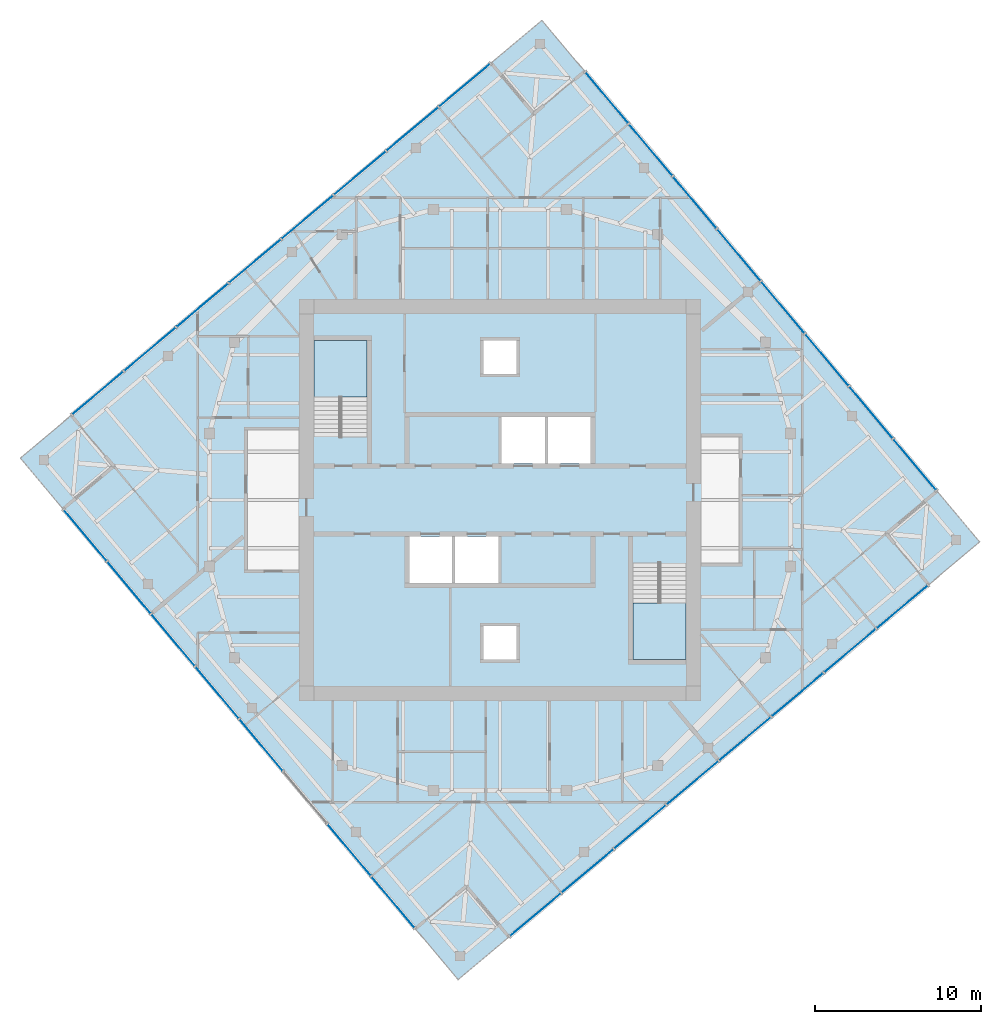
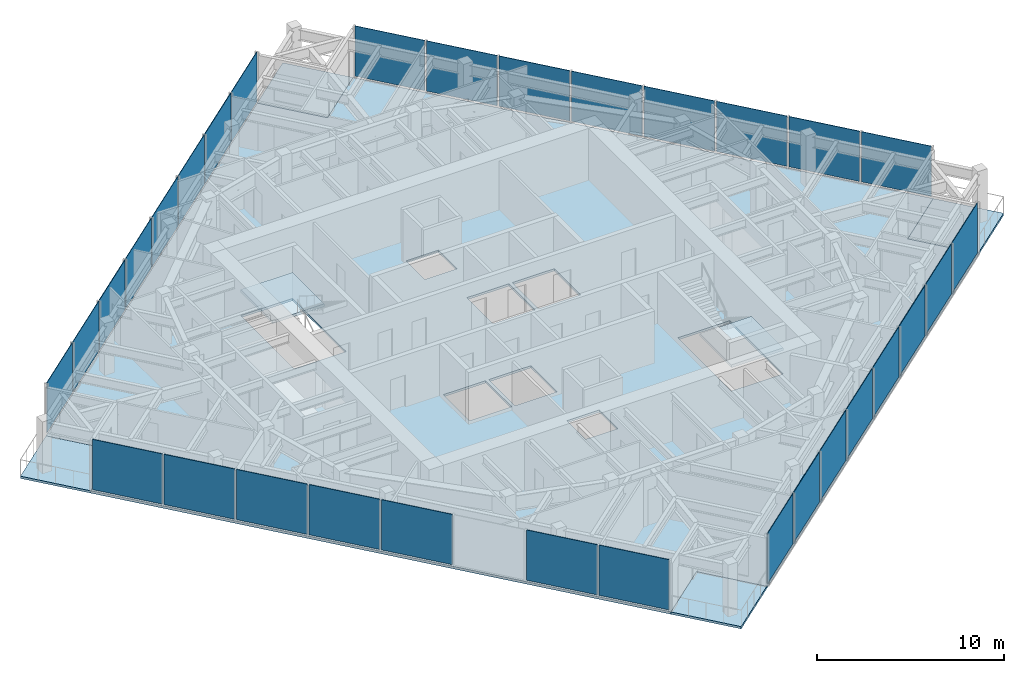
# One storey, part 6 of 12: 31 plates, 7 slabs, 6 elements without a shape of their own.
"""IFC4 building model written with IfcOpenShell, lengths in metres."""

from ifc_helpers import new_model, si_unit, direction, frame, origin, origin_2d, place, context, subcontext, project, spatial, polyline, rectangle, outline, extrude, material, layer, layer_set, type_object, element, aggregate, save


model = new_model("IFC4")

# Units and contexts
model_context = context("Model", 3, precision=1e-05, world=origin(), true_north=direction((0.0, 1.0)))
body_context = subcontext(model_context, "Body", "Model", "MODEL_VIEW")
ifc_project = project(units=[si_unit("LENGTHUNIT", "METRE"), si_unit("AREAUNIT", "SQUARE_METRE"), si_unit("VOLUMEUNIT", "CUBIC_METRE"), si_unit("PLANEANGLEUNIT", "RADIAN"), si_unit("MASSUNIT", "GRAM", prefix="KILO")], contexts=[model_context])

# Site, building, storey
site_placement = place(None, origin())
site = spatial("IfcSite", under=ifc_project, at=site_placement, CompositionType="ELEMENT")
building_placement = place(site_placement, origin())
building = spatial("IfcBuilding", under=site, at=building_placement, Name="Torsade Residences", CompositionType="ELEMENT")
storey_placement = place(building_placement, frame((0.0, 0.0, 296.39990234375)))
storey = spatial("IfcBuildingStorey", under=building, at=storey_placement, Name="L82", CompositionType="ELEMENT", Elevation=296.39990234375)

# Slab
ifc_material_1 = material(Name="Concrete 40 MPa", Category="concrete")
ifc_layer_1 = layer(ifc_material_1, 0.14990234375)
ifc_layer_set_1 = layer_set([ifc_layer_1], Name="Concrete 40 MPa")
slab_type_1 = type_object("IfcSlabType", Name="COMPOSITE FLOOR SLAB 150", PredefinedType="FLOOR", material=ifc_layer_set_1)
slab_1_placement = place(storey_placement, frame((0.0, 0.0, -0.14990234375)))
element("IfcSlab", 1, at=slab_1_placement, inside=storey, type_object=slab_type_1, Name="Floor slab L82", PredefinedType="FLOOR", context=body_context, shape_type="SweptSolid", body=[
    extrude(outline(polyline([(40.537353515625, 3.690185546875), (65.81689453125, 24.902099609375), (63.245849609375, 27.96630859375), (66.309814453125, 30.537353515625), (45.097900390625, 55.81689453125), (42.03369140625, 53.245849609375), (39.462646484375, 56.309814453125), (14.18310546875, 35.097900390625), (16.754150390625, 32.03369140625), (13.690185546875, 29.462646484375), (34.902099609375, 4.18310546875), (37.96630859375, 6.754150390625), (40.537353515625, 3.690185546875)]), holes=[polyline([(51.199951171875, 26.1201171875), (48.0, 26.1201171875), (48.0, 20.39990234375), (51.199951171875, 20.39990234375), (51.199951171875, 26.1201171875)]), polyline([(45.5, 35.0), (42.89990234375, 35.0), (42.89990234375, 32.199951171875), (45.5, 32.199951171875), (45.5, 35.0)]), polyline([(42.699951171875, 35.0), (40.10009765625, 35.0), (40.10009765625, 32.199951171875), (42.699951171875, 32.199951171875), (42.699951171875, 35.0)]), polyline([(41.0, 22.39990234375), (39.0, 22.39990234375), (39.0, 20.39990234375), (41.0, 20.39990234375), (41.0, 22.39990234375)]), polyline([(41.0, 39.60009765625), (39.0, 39.60009765625), (39.0, 37.60009765625), (41.0, 37.60009765625), (41.0, 39.60009765625)]), polyline([(39.89990234375, 27.800048828125), (37.300048828125, 27.800048828125), (37.300048828125, 25.0), (39.89990234375, 25.0), (39.89990234375, 27.800048828125)]), polyline([(37.10009765625, 27.800048828125), (34.5, 27.800048828125), (34.5, 25.0), (37.10009765625, 25.0), (37.10009765625, 27.800048828125)]), polyline([(32.0, 39.60009765625), (28.800048828125, 39.60009765625), (28.800048828125, 33.8798828125), (32.0, 33.8798828125), (32.0, 39.60009765625)])]), origin(), (0.0, 0.0, 1.0), 0.14990234375),
])

# Curtain wall, plates
ifc_material_2 = material(Name="Aluminium and glass", Category="aluminium")
curtain_wall_type = type_object("IfcCurtainWallType", Name="FRITTED GLASS CURTAIN WALL HIGH ZONE", PredefinedType="NOTDEFINED", material=ifc_material_2)
curtain_wall_1_placement = place(storey_placement, origin())
curtain_wall_1 = element("IfcCurtainWall", 2, at=curtain_wall_1_placement, inside=storey, type_object=curtain_wall_type, Name="Curtain wall L82 face 1", PredefinedType="NOTDEFINED")
ifc_material_3 = material(Name="Laminated glass", Category="glass")
ifc_layer_2 = layer(ifc_material_3, 0.031982421875)
ifc_layer_set_2 = layer_set([ifc_layer_2], Name="Laminated glass")
plate_type_1 = type_object("IfcPlateType", Name="FRITTED GLASS PANEL", PredefinedType="CURTAIN_PANEL", material=ifc_layer_set_2)
plate_1_placement = place(storey_placement, frame((42.136474609375, 5.031982421875, 0.1201171875), z_axis=(0.0, 0.0, 1.0), x_axis=(0.766044437106, 0.642787616853, 0.0)))
plate_1 = element("IfcPlate", 3, at=plate_1_placement, type_object=plate_type_1, Name="Panel 1", PredefinedType="CURTAIN_PANEL", context=body_context, shape_type="SweptSolid", body=[
    extrude(rectangle(XDim=3.97509765625, YDim=0.031982421875, at=origin_2d()), origin(), (0.0, 0.0, 1.0), 3.280029296875),
])
plate_2_placement = place(storey_placement, frame((48.437255859375, 10.31884765625, 0.1201171875), z_axis=(0.0, 0.0, 1.0), x_axis=(0.766044437106, 0.642787616853, 0.0)))
plate_2 = element("IfcPlate", 4, at=plate_2_placement, type_object=plate_type_1, Name="Panel 3", PredefinedType="CURTAIN_PANEL", context=body_context, shape_type="SweptSolid", body=[
    extrude(rectangle(XDim=4.02490234375, YDim=0.031982421875, at=origin_2d()), origin(), (0.0, 0.0, 1.0), 3.280029296875),
])
plate_3_placement = place(storey_placement, frame((51.59716796875, 12.970458984375, 0.1201171875), z_axis=(0.0, 0.0, 1.0), x_axis=(0.766044437106, 0.642787616853, 0.0)))
plate_3 = element("IfcPlate", 5, at=plate_3_placement, type_object=plate_type_1, Name="Panel 4", PredefinedType="CURTAIN_PANEL", context=body_context, shape_type="SweptSolid", body=[
    extrude(rectangle(XDim=4.02490234375, YDim=0.031982421875, at=origin_2d()), origin(), (0.0, 0.0, 1.0), 3.280029296875),
])
plate_4_placement = place(storey_placement, frame((54.757080078125, 15.621826171875, 0.1201171875), z_axis=(0.0, 0.0, 1.0), x_axis=(0.766044437106, 0.642787616853, 0.0)))
plate_4 = element("IfcPlate", 6, at=plate_4_placement, type_object=plate_type_1, Name="Panel 5", PredefinedType="CURTAIN_PANEL", context=body_context, shape_type="SweptSolid", body=[
    extrude(rectangle(XDim=4.02490234375, YDim=0.031982421875, at=origin_2d()), origin(), (0.0, 0.0, 1.0), 3.280029296875),
])
plate_5_placement = place(storey_placement, frame((61.076904296875, 20.9248046875, 0.1201171875), z_axis=(0.0, 0.0, 1.0), x_axis=(0.766044437106, 0.642787616853, 0.0)))
plate_5 = element("IfcPlate", 7, at=plate_5_placement, type_object=plate_type_1, Name="Panel 7", PredefinedType="CURTAIN_PANEL", context=body_context, shape_type="SweptSolid", body=[
    extrude(rectangle(XDim=4.02490234375, YDim=0.031982421875, at=origin_2d()), origin(), (0.0, 0.0, 1.0), 3.280029296875),
])
plate_6_placement = place(storey_placement, frame((64.2177734375, 23.560302734375, 0.1201171875), z_axis=(0.0, 0.0, 1.0), x_axis=(0.766044437106, 0.642787616853, 0.0)))
plate_6 = element("IfcPlate", 8, at=plate_6_placement, type_object=plate_type_1, Name="Panel 8", PredefinedType="CURTAIN_PANEL", context=body_context, shape_type="SweptSolid", body=[
    extrude(rectangle(XDim=3.97509765625, YDim=0.031982421875, at=origin_2d()), origin(), (0.0, 0.0, 1.0), 3.280029296875),
])

curtain_wall_2_placement = place(storey_placement, origin())
curtain_wall_2 = element("IfcCurtainWall", 9, at=curtain_wall_2_placement, inside=storey, type_object=curtain_wall_type, Name="Curtain wall L82 face 4", PredefinedType="NOTDEFINED")
plate_7_placement = place(storey_placement, frame((64.968017578125, 32.136474609375, 0.1201171875), z_axis=(0.0, 0.0, 1.0), x_axis=(-0.642787616853, 0.766044437106, 0.0)))
plate_7 = element("IfcPlate", 10, at=plate_7_placement, type_object=plate_type_1, Name="Panel 1", PredefinedType="CURTAIN_PANEL", context=body_context, shape_type="SweptSolid", body=[
    extrude(rectangle(XDim=3.97509765625, YDim=0.031982421875, at=origin_2d()), origin(), (0.0, 0.0, 1.0), 3.280029296875),
])
plate_8_placement = place(storey_placement, frame((59.68115234375, 38.437255859375, 0.1201171875), z_axis=(0.0, 0.0, 1.0), x_axis=(-0.642787616853, 0.766044437106, 0.0)))
plate_8 = element("IfcPlate", 11, at=plate_8_placement, type_object=plate_type_1, Name="Panel 3", PredefinedType="CURTAIN_PANEL", context=body_context, shape_type="SweptSolid", body=[
    extrude(rectangle(XDim=4.02490234375, YDim=0.031982421875, at=origin_2d()), origin(), (0.0, 0.0, 1.0), 3.280029296875),
])
plate_9_placement = place(storey_placement, frame((57.029541015625, 41.59716796875, 0.1201171875), z_axis=(0.0, 0.0, 1.0), x_axis=(-0.642787616853, 0.766044437106, 0.0)))
plate_9 = element("IfcPlate", 12, at=plate_9_placement, type_object=plate_type_1, Name="Panel 4", PredefinedType="CURTAIN_PANEL", context=body_context, shape_type="SweptSolid", body=[
    extrude(rectangle(XDim=4.02490234375, YDim=0.031982421875, at=origin_2d()), origin(), (0.0, 0.0, 1.0), 3.280029296875),
])
plate_10_placement = place(storey_placement, frame((54.378173828125, 44.757080078125, 0.1201171875), z_axis=(0.0, 0.0, 1.0), x_axis=(-0.642787616853, 0.766044437106, 0.0)))
plate_10 = element("IfcPlate", 13, at=plate_10_placement, type_object=plate_type_1, Name="Panel 5", PredefinedType="CURTAIN_PANEL", context=body_context, shape_type="SweptSolid", body=[
    extrude(rectangle(XDim=4.02490234375, YDim=0.031982421875, at=origin_2d()), origin(), (0.0, 0.0, 1.0), 3.280029296875),
])
plate_11_placement = place(storey_placement, frame((49.0751953125, 51.076904296875, 0.1201171875), z_axis=(0.0, 0.0, 1.0), x_axis=(-0.642787616853, 0.766044437106, 0.0)))
plate_11 = element("IfcPlate", 14, at=plate_11_placement, type_object=plate_type_1, Name="Panel 7", PredefinedType="CURTAIN_PANEL", context=body_context, shape_type="SweptSolid", body=[
    extrude(rectangle(XDim=4.02490234375, YDim=0.031982421875, at=origin_2d()), origin(), (0.0, 0.0, 1.0), 3.280029296875),
])
plate_12_placement = place(storey_placement, frame((46.439697265625, 54.2177734375, 0.1201171875), z_axis=(0.0, 0.0, 1.0), x_axis=(-0.642787616853, 0.766044437106, 0.0)))
plate_12 = element("IfcPlate", 15, at=plate_12_placement, type_object=plate_type_1, Name="Panel 8", PredefinedType="CURTAIN_PANEL", context=body_context, shape_type="SweptSolid", body=[
    extrude(rectangle(XDim=3.97509765625, YDim=0.031982421875, at=origin_2d()), origin(), (0.0, 0.0, 1.0), 3.280029296875),
])

curtain_wall_3_placement = place(storey_placement, origin())
curtain_wall_3 = element("IfcCurtainWall", 16, at=curtain_wall_3_placement, inside=storey, type_object=curtain_wall_type, Name="Curtain wall L82 face 7", PredefinedType="NOTDEFINED")
plate_13_placement = place(storey_placement, frame((37.863525390625, 54.968017578125, 0.1201171875), z_axis=(0.0, 0.0, 1.0), x_axis=(-0.766044437106, -0.642787616853, 0.0)))
plate_13 = element("IfcPlate", 17, at=plate_13_placement, type_object=plate_type_1, Name="Panel 1", PredefinedType="CURTAIN_PANEL", context=body_context, shape_type="SweptSolid", body=[
    extrude(rectangle(XDim=3.97509765625, YDim=0.031982421875, at=origin_2d()), origin(), (0.0, 0.0, 1.0), 3.280029296875),
])
plate_14_placement = place(storey_placement, frame((31.562744140625, 49.68115234375, 0.1201171875), z_axis=(0.0, 0.0, 1.0), x_axis=(-0.766044437106, -0.642787616853, 0.0)))
plate_14 = element("IfcPlate", 18, at=plate_14_placement, type_object=plate_type_1, Name="Panel 3", PredefinedType="CURTAIN_PANEL", context=body_context, shape_type="SweptSolid", body=[
    extrude(rectangle(XDim=4.02490234375, YDim=0.031982421875, at=origin_2d()), origin(), (0.0, 0.0, 1.0), 3.280029296875),
])
plate_15_placement = place(storey_placement, frame((28.40283203125, 47.029541015625, 0.1201171875), z_axis=(0.0, 0.0, 1.0), x_axis=(-0.766044437106, -0.642787616853, 0.0)))
plate_15 = element("IfcPlate", 19, at=plate_15_placement, type_object=plate_type_1, Name="Panel 4", PredefinedType="CURTAIN_PANEL", context=body_context, shape_type="SweptSolid", body=[
    extrude(rectangle(XDim=4.02490234375, YDim=0.031982421875, at=origin_2d()), origin(), (0.0, 0.0, 1.0), 3.280029296875),
])
plate_16_placement = place(storey_placement, frame((25.242919921875, 44.378173828125, 0.1201171875), z_axis=(0.0, 0.0, 1.0), x_axis=(-0.766044437106, -0.642787616853, 0.0)))
plate_16 = element("IfcPlate", 20, at=plate_16_placement, type_object=plate_type_1, Name="Panel 5", PredefinedType="CURTAIN_PANEL", context=body_context, shape_type="SweptSolid", body=[
    extrude(rectangle(XDim=4.02490234375, YDim=0.031982421875, at=origin_2d()), origin(), (0.0, 0.0, 1.0), 3.280029296875),
])
plate_17_placement = place(storey_placement, frame((18.923095703125, 39.0751953125, 0.1201171875), z_axis=(0.0, 0.0, 1.0), x_axis=(-0.766044437106, -0.642787616853, 0.0)))
plate_17 = element("IfcPlate", 21, at=plate_17_placement, type_object=plate_type_1, Name="Panel 7", PredefinedType="CURTAIN_PANEL", context=body_context, shape_type="SweptSolid", body=[
    extrude(rectangle(XDim=4.02490234375, YDim=0.031982421875, at=origin_2d()), origin(), (0.0, 0.0, 1.0), 3.280029296875),
])
plate_18_placement = place(storey_placement, frame((15.7822265625, 36.439697265625, 0.1201171875), z_axis=(0.0, 0.0, 1.0), x_axis=(-0.766044437106, -0.642787616853, 0.0)))
plate_18 = element("IfcPlate", 22, at=plate_18_placement, type_object=plate_type_1, Name="Panel 8", PredefinedType="CURTAIN_PANEL", context=body_context, shape_type="SweptSolid", body=[
    extrude(rectangle(XDim=3.97509765625, YDim=0.031982421875, at=origin_2d()), origin(), (0.0, 0.0, 1.0), 3.280029296875),
])

curtain_wall_4_placement = place(storey_placement, origin())
curtain_wall_4 = element("IfcCurtainWall", 23, at=curtain_wall_4_placement, inside=storey, type_object=curtain_wall_type, Name="Curtain wall L82 face 10", PredefinedType="NOTDEFINED")
plate_19_placement = place(storey_placement, frame((15.031982421875, 27.863525390625, 0.1201171875), z_axis=(0.0, 0.0, 1.0), x_axis=(0.642787616853, -0.766044437106, 0.0)))
plate_19 = element("IfcPlate", 24, at=plate_19_placement, type_object=plate_type_1, Name="Panel 1", PredefinedType="CURTAIN_PANEL", context=body_context, shape_type="SweptSolid", body=[
    extrude(rectangle(XDim=3.97509765625, YDim=0.031982421875, at=origin_2d()), origin(), (0.0, 0.0, 1.0), 3.280029296875),
])
plate_20_placement = place(storey_placement, frame((20.31884765625, 21.562744140625, 0.1201171875), z_axis=(0.0, 0.0, 1.0), x_axis=(0.642787616853, -0.766044437106, 0.0)))
plate_20 = element("IfcPlate", 25, at=plate_20_placement, type_object=plate_type_1, Name="Panel 3", PredefinedType="CURTAIN_PANEL", context=body_context, shape_type="SweptSolid", body=[
    extrude(rectangle(XDim=4.02490234375, YDim=0.031982421875, at=origin_2d()), origin(), (0.0, 0.0, 1.0), 3.280029296875),
])
plate_21_placement = place(storey_placement, frame((22.970458984375, 18.40283203125, 0.1201171875), z_axis=(0.0, 0.0, 1.0), x_axis=(0.642787616853, -0.766044437106, 0.0)))
plate_21 = element("IfcPlate", 26, at=plate_21_placement, type_object=plate_type_1, Name="Panel 4", PredefinedType="CURTAIN_PANEL", context=body_context, shape_type="SweptSolid", body=[
    extrude(rectangle(XDim=4.02490234375, YDim=0.031982421875, at=origin_2d()), origin(), (0.0, 0.0, 1.0), 3.280029296875),
])
plate_22_placement = place(storey_placement, frame((25.621826171875, 15.242919921875, 0.1201171875), z_axis=(0.0, 0.0, 1.0), x_axis=(0.642787616853, -0.766044437106, 0.0)))
plate_22 = element("IfcPlate", 27, at=plate_22_placement, type_object=plate_type_1, Name="Panel 5", PredefinedType="CURTAIN_PANEL", context=body_context, shape_type="SweptSolid", body=[
    extrude(rectangle(XDim=4.02490234375, YDim=0.031982421875, at=origin_2d()), origin(), (0.0, 0.0, 1.0), 3.280029296875),
])
plate_23_placement = place(storey_placement, frame((30.9248046875, 8.923095703125, 0.1201171875), z_axis=(0.0, 0.0, 1.0), x_axis=(0.642787616853, -0.766044437106, 0.0)))
plate_23 = element("IfcPlate", 28, at=plate_23_placement, type_object=plate_type_1, Name="Panel 7", PredefinedType="CURTAIN_PANEL", context=body_context, shape_type="SweptSolid", body=[
    extrude(rectangle(XDim=4.02490234375, YDim=0.031982421875, at=origin_2d()), origin(), (0.0, 0.0, 1.0), 3.280029296875),
])
plate_24_placement = place(storey_placement, frame((33.560302734375, 5.7822265625, 0.1201171875), z_axis=(0.0, 0.0, 1.0), x_axis=(0.642787616853, -0.766044437106, 0.0)))
plate_24 = element("IfcPlate", 29, at=plate_24_placement, type_object=plate_type_1, Name="Panel 8", PredefinedType="CURTAIN_PANEL", context=body_context, shape_type="SweptSolid", body=[
    extrude(rectangle(XDim=3.97509765625, YDim=0.031982421875, at=origin_2d()), origin(), (0.0, 0.0, 1.0), 3.280029296875),
])

# Plate
ifc_material_4 = material(Name="Laminated glass", Category="glass")
ifc_layer_3 = layer(ifc_material_4, 0.0400390625)
ifc_layer_set_3 = layer_set([ifc_layer_3], Name="Laminated glass")
plate_type_2 = type_object("IfcPlateType", Name="OPERABLE VENT PANEL", PredefinedType="CURTAIN_PANEL", material=ifc_layer_set_3)
plate_25_placement = place(storey_placement, frame((45.27734375, 7.667236328125, 0.1201171875), z_axis=(0.0, 0.0, 1.0), x_axis=(0.766044437106, 0.642787616853, 0.0)))
plate_25 = element("IfcPlate", 30, at=plate_25_placement, type_object=plate_type_2, Name="Panel 2", PredefinedType="CURTAIN_PANEL", context=body_context, shape_type="SweptSolid", body=[
    extrude(rectangle(XDim=4.02490234375, YDim=0.0400390625, at=origin_2d()), origin(), (0.0, 0.0, 1.0), 3.280029296875),
])

plate_26_placement = place(storey_placement, frame((57.9169921875, 18.2734375, 0.1201171875), z_axis=(0.0, 0.0, 1.0), x_axis=(0.766044437106, 0.642787616853, 0.0)))
plate_26 = element("IfcPlate", 31, at=plate_26_placement, type_object=plate_type_2, Name="Panel 6", PredefinedType="CURTAIN_PANEL", context=body_context, shape_type="SweptSolid", body=[
    extrude(rectangle(XDim=4.02490234375, YDim=0.0400390625, at=origin_2d()), origin(), (0.0, 0.0, 1.0), 3.280029296875),
])

aggregate(curtain_wall_1, [plate_1, plate_25, plate_2, plate_3, plate_4, plate_26, plate_5, plate_6])

plate_27_placement = place(storey_placement, frame((62.332763671875, 35.27734375, 0.1201171875), z_axis=(0.0, 0.0, 1.0), x_axis=(-0.642787616853, 0.766044437106, 0.0)))
plate_27 = element("IfcPlate", 32, at=plate_27_placement, type_object=plate_type_2, Name="Panel 2", PredefinedType="CURTAIN_PANEL", context=body_context, shape_type="SweptSolid", body=[
    extrude(rectangle(XDim=4.02490234375, YDim=0.0400390625, at=origin_2d()), origin(), (0.0, 0.0, 1.0), 3.280029296875),
])

plate_28_placement = place(storey_placement, frame((51.7265625, 47.9169921875, 0.1201171875), z_axis=(0.0, 0.0, 1.0), x_axis=(-0.642787616853, 0.766044437106, 0.0)))
plate_28 = element("IfcPlate", 33, at=plate_28_placement, type_object=plate_type_2, Name="Panel 6", PredefinedType="CURTAIN_PANEL", context=body_context, shape_type="SweptSolid", body=[
    extrude(rectangle(XDim=4.02490234375, YDim=0.0400390625, at=origin_2d()), origin(), (0.0, 0.0, 1.0), 3.280029296875),
])

aggregate(curtain_wall_2, [plate_7, plate_27, plate_8, plate_9, plate_10, plate_28, plate_11, plate_12])

plate_29_placement = place(storey_placement, frame((34.72265625, 52.332763671875, 0.1201171875), z_axis=(0.0, 0.0, 1.0), x_axis=(-0.766044437106, -0.642787616853, 0.0)))
plate_29 = element("IfcPlate", 34, at=plate_29_placement, type_object=plate_type_2, Name="Panel 2", PredefinedType="CURTAIN_PANEL", context=body_context, shape_type="SweptSolid", body=[
    extrude(rectangle(XDim=4.02490234375, YDim=0.0400390625, at=origin_2d()), origin(), (0.0, 0.0, 1.0), 3.280029296875),
])

plate_30_placement = place(storey_placement, frame((22.0830078125, 41.7265625, 0.1201171875), z_axis=(0.0, 0.0, 1.0), x_axis=(-0.766044437106, -0.642787616853, 0.0)))
plate_30 = element("IfcPlate", 35, at=plate_30_placement, type_object=plate_type_2, Name="Panel 6", PredefinedType="CURTAIN_PANEL", context=body_context, shape_type="SweptSolid", body=[
    extrude(rectangle(XDim=4.02490234375, YDim=0.0400390625, at=origin_2d()), origin(), (0.0, 0.0, 1.0), 3.280029296875),
])

aggregate(curtain_wall_3, [plate_13, plate_29, plate_14, plate_15, plate_16, plate_30, plate_17, plate_18])

plate_31_placement = place(storey_placement, frame((17.667236328125, 24.72265625, 0.1201171875), z_axis=(0.0, 0.0, 1.0), x_axis=(0.642787616853, -0.766044437106, 0.0)))
plate_31 = element("IfcPlate", 36, at=plate_31_placement, type_object=plate_type_2, Name="Panel 2", PredefinedType="CURTAIN_PANEL", context=body_context, shape_type="SweptSolid", body=[
    extrude(rectangle(XDim=4.02490234375, YDim=0.0400390625, at=origin_2d()), origin(), (0.0, 0.0, 1.0), 3.280029296875),
])

aggregate(curtain_wall_4, [plate_19, plate_31, plate_20, plate_21, plate_22, plate_23, plate_24])

# Stair, slab
ifc_material_5 = material(Name="Precast concrete 40 MPa", Category="concrete")
stair_type = type_object("IfcStairType", Name="HALF-TURN FIRE STAIR 1500x3400", PredefinedType="HALF_TURN_STAIR", material=ifc_material_5)
stair_1_placement = place(storey_placement, origin())
stair_1 = element("IfcStair", 37, at=stair_1_placement, inside=storey, type_object=stair_type, Name="Stair ST1 L82", PredefinedType="HALF_TURN_STAIR")
ifc_material_6 = material(Name="Precast concrete 40 MPa", Category="concrete")
ifc_layer_4 = layer(ifc_material_6, 0.179931640625)
ifc_layer_set_4 = layer_set([ifc_layer_4], Name="Precast concrete 40 MPa")
slab_type_2 = type_object("IfcSlabType", Name="PRECAST STAIR LANDING 180", PredefinedType="LANDING", material=ifc_layer_set_4)
slab_2_placement = place(storey_placement, frame((0.0, 0.0, 1.52001953125)))
slab_2 = element("IfcSlab", 38, at=slab_2_placement, type_object=slab_type_2, Name="ST1 landing 1", PredefinedType="LANDING", context=body_context, shape_type="SweptSolid", body=[
    extrude(outline(polyline([(28.800048828125, 36.2099609375), (32.0, 36.2099609375), (32.0, 39.60009765625), (28.800048828125, 39.60009765625), (28.800048828125, 36.2099609375)])), origin(), (0.0, 0.0, 1.0), 0.18017578125),
])
aggregate(stair_1, [slab_2])

stair_2_placement = place(storey_placement, origin())
stair_2 = element("IfcStair", 39, at=stair_2_placement, inside=storey, type_object=stair_type, Name="Stair ST2 L82", PredefinedType="HALF_TURN_STAIR")
slab_3_placement = place(storey_placement, frame((0.0, 0.0, 1.52001953125)))
slab_3 = element("IfcSlab", 40, at=slab_3_placement, type_object=slab_type_2, Name="ST2 landing 1", PredefinedType="LANDING", context=body_context, shape_type="SweptSolid", body=[
    extrude(outline(polyline([(48.0, 20.39990234375), (51.199951171875, 20.39990234375), (51.199951171875, 23.7900390625), (48.0, 23.7900390625), (48.0, 20.39990234375)])), origin(), (0.0, 0.0, 1.0), 0.18017578125),
])
aggregate(stair_2, [slab_3])

# Slabs
ifc_material_7 = material(Name="Concrete 40 MPa", Category="concrete")
ifc_layer_5 = layer(ifc_material_7, 0.14990234375)
ifc_layer_set_5 = layer_set([ifc_layer_5], Name="Concrete 40 MPa")
slab_type_3 = type_object("IfcSlabType", Name="TERRACE SLAB 150", PredefinedType="FLOOR", material=ifc_layer_set_5)
slab_4_placement = place(storey_placement, frame((0.0, 0.0, -0.14990234375)))
element("IfcSlab", 41, at=slab_4_placement, inside=storey, type_object=slab_type_3, Name="Corner terrace slab SE L82", PredefinedType="FLOOR", context=body_context, shape_type="SweptSolid", body=[
    extrude(outline(polyline([(65.81689453125, 24.902099609375), (68.881103515625, 27.47314453125), (66.309814453125, 30.537353515625), (63.245849609375, 27.96630859375), (65.81689453125, 24.902099609375)])), origin(), (0.0, 0.0, 1.0), 0.14990234375),
])
slab_5_placement = place(storey_placement, frame((0.0, 0.0, -0.14990234375)))
element("IfcSlab", 42, at=slab_5_placement, inside=storey, type_object=slab_type_3, Name="Corner terrace slab NE L82", PredefinedType="FLOOR", context=body_context, shape_type="SweptSolid", body=[
    extrude(outline(polyline([(42.03369140625, 53.245849609375), (45.097900390625, 55.81689453125), (42.52685546875, 58.881103515625), (39.462646484375, 56.309814453125), (42.03369140625, 53.245849609375)])), origin(), (0.0, 0.0, 1.0), 0.14990234375),
])
slab_6_placement = place(storey_placement, frame((0.0, 0.0, -0.14990234375)))
element("IfcSlab", 43, at=slab_6_placement, inside=storey, type_object=slab_type_3, Name="Corner terrace slab NW L82", PredefinedType="FLOOR", context=body_context, shape_type="SweptSolid", body=[
    extrude(outline(polyline([(13.690185546875, 29.462646484375), (16.754150390625, 32.03369140625), (14.18310546875, 35.097900390625), (11.118896484375, 32.52685546875), (13.690185546875, 29.462646484375)])), origin(), (0.0, 0.0, 1.0), 0.14990234375),
])
slab_7_placement = place(storey_placement, frame((0.0, 0.0, -0.14990234375)))
element("IfcSlab", 44, at=slab_7_placement, inside=storey, type_object=slab_type_3, Name="Corner terrace slab SW L82", PredefinedType="FLOOR", context=body_context, shape_type="SweptSolid", body=[
    extrude(outline(polyline([(37.47314453125, 1.118896484375), (40.537353515625, 3.690185546875), (37.96630859375, 6.754150390625), (34.902099609375, 4.18310546875), (37.47314453125, 1.118896484375)])), origin(), (0.0, 0.0, 1.0), 0.14990234375),
])

save(model, "model.ifc")
